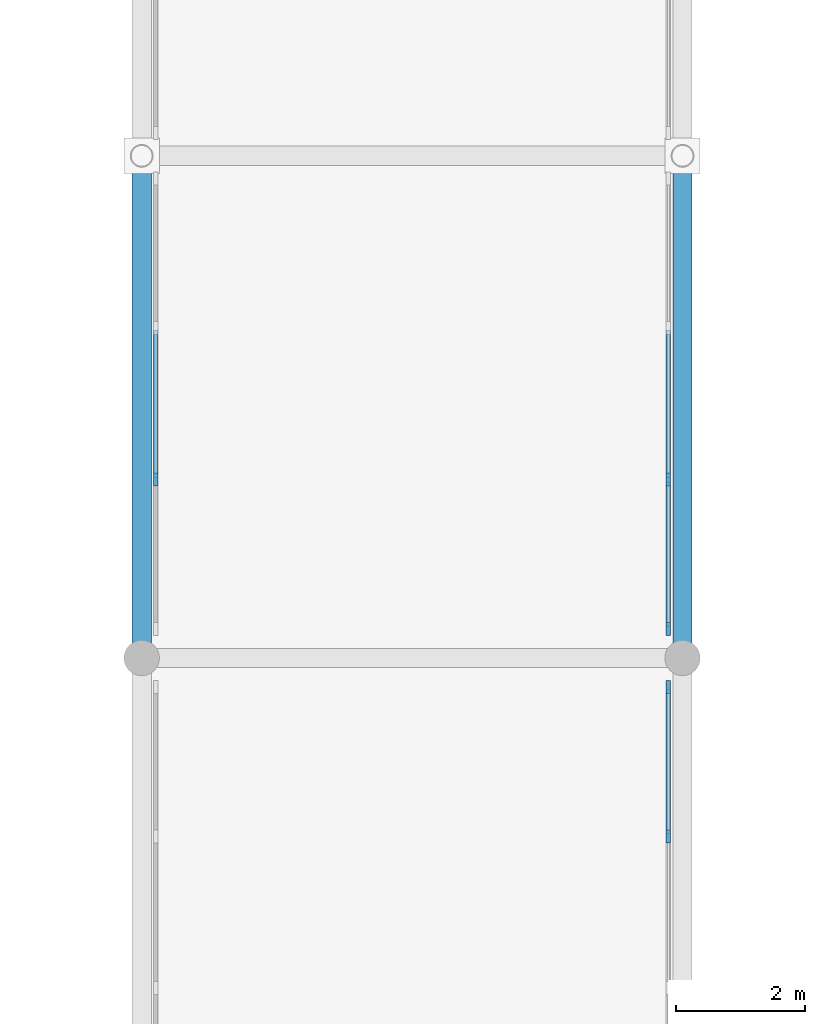
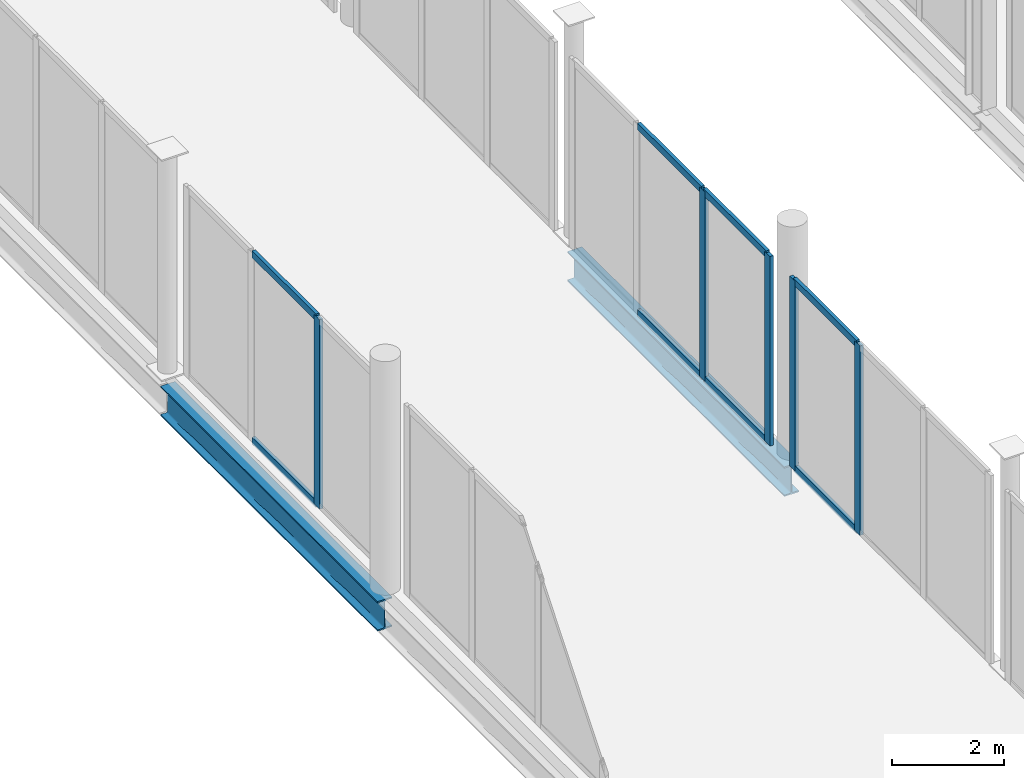
# One storey, part 38 of 105: 13 members, 2 beams, 3 elements without a shape of their own.
"""IFC4 building model written with IfcOpenShell, lengths in metres."""

from ifc_helpers import new_model, si_unit, direction, frame, origin, origin_2d, place, context, subcontext, project, spatial, rectangle, i_section, extrude, material, material_profile, profile_set, type_object, element, aggregate, save


model = new_model("IFC4")

# Units and contexts
model_context = context("Model", 3, precision=1e-05, world=origin(), true_north=direction((0.0, 1.0)))
body_context = subcontext(model_context, "Body", "Model", "MODEL_VIEW")
ifc_project = project(units=[si_unit("LENGTHUNIT", "METRE"), si_unit("AREAUNIT", "SQUARE_METRE"), si_unit("VOLUMEUNIT", "CUBIC_METRE"), si_unit("PLANEANGLEUNIT", "RADIAN"), si_unit("MASSUNIT", "GRAM", prefix="KILO")], contexts=[model_context])

# Site, building, storey
site_placement = place(None, origin())
site = spatial("IfcSite", under=ifc_project, at=site_placement, CompositionType="ELEMENT")
building_placement = place(site_placement, origin())
building = spatial("IfcBuilding", under=site, at=building_placement, Name="Nabrawat Pavilion Hospital", CompositionType="ELEMENT")
storey_placement = place(building_placement, frame((0.0, 0.0, 5.10009765625)))
storey = spatial("IfcBuildingStorey", under=building, at=storey_placement, Name="L01", CompositionType="ELEMENT", Elevation=5.10009765625)

# Beams
ifc_material_1 = material(Name="Steel S355", Category="steel")
ifc_material_profile_1 = material_profile(ifc_material_1, i_section(OverallWidth=0.300048828125, OverallDepth=0.64990234375, WebThickness=0.01611328125, FlangeThickness=0.031005859375, FilletRadius=0.027099609375, at=origin_2d()), Name="HEB 650")
ifc_profile_set_1 = profile_set([ifc_material_profile_1], Name="Steel S355")
beam_type = type_object("IfcBeamType", Name="Courtyard Link Bridge Edge Girder HEB 650", PredefinedType="USERDEFINED", material=ifc_profile_set_1)
for number, where, z_axis, x_axis, name in (
    (1, (109.199951171875, 54.6201171875, -0.614990234375), (0.0, 1.0, 0.0), (-1.0, 0.0, 0.0), "L01 Courtyard Link Bridge Edge Girder 781"),
    (2, (117.60009765625, 54.6201171875, -0.614990234375), (0.0, 1.0, 0.0), (-1.0, 0.0, 0.0), "L01 Courtyard Link Bridge Edge Girder 790"),
):
    element("IfcBeam", number, at=place(storey_placement, frame(where, z_axis=z_axis, x_axis=x_axis)), inside=storey, type_object=beam_type, Name=name, ObjectType="GIRDER", PredefinedType="USERDEFINED", context=body_context, shape_type="SweptSolid", body=[
        extrude(i_section(OverallWidth=0.300048828125, OverallDepth=0.64990234375, WebThickness=0.01611328125, FlangeThickness=0.031005859375, FilletRadius=0.027099609375, at=origin_2d()), origin(), (0.0, 0.0, 1.0), 7.759765625),
    ])

# Curtain wall, member
ifc_material_2 = material(Name="Anodised Aluminium", Category="aluminium")
curtain_wall_type = type_object("IfcCurtainWallType", Name="Courtyard Link Bridge Glazed Curtain Wall", PredefinedType="USERDEFINED", material=ifc_material_2)
curtain_wall_1_placement = place(storey_placement, origin())
curtain_wall_1 = element("IfcCurtainWall", 3, at=curtain_wall_1_placement, inside=storey, type_object=curtain_wall_type, Name="L01 Courtyard Link Bridge Glazed Curtain Wall 073", ObjectType="CURTAIN WALL", PredefinedType="USERDEFINED")
ifc_material_profile_2 = material_profile(ifc_material_2, rectangle(XDim=0.070068359375, YDim=0.199951171875, at=origin_2d()), Name="CWM 70x200")
ifc_profile_set_2 = profile_set([ifc_material_profile_2], Name="Anodised Aluminium")
member_type_1 = type_object("IfcMemberType", Name="Courtyard Link Bridge Glazed Curtain Wall Mullion CWM 70x200", PredefinedType="MULLION", material=ifc_profile_set_2)
member_1_placement = place(storey_placement, frame((109.419921875, 57.370849609375, 0.0), z_axis=(0.0, 0.0, 1.0), x_axis=(-1.0, 0.0, 0.0)))
member_1 = element("IfcMember", 4, at=member_1_placement, type_object=member_type_1, Name="CW-BRG-01 mullion 2", PredefinedType="MULLION", context=body_context, shape_type="SweptSolid", body=[
    extrude(rectangle(XDim=0.070068359375, YDim=0.199951171875, at=origin_2d()), origin(), (0.0, 0.0, 1.0), 4.139892578125),
])

# Curtain wall, members
curtain_wall_2_placement = place(storey_placement, origin())
curtain_wall_2 = element("IfcCurtainWall", 5, at=curtain_wall_2_placement, inside=storey, type_object=curtain_wall_type, Name="L01 Courtyard Link Bridge Glazed Curtain Wall 078", ObjectType="CURTAIN WALL", PredefinedType="USERDEFINED")
member_2_placement = place(storey_placement, frame((117.3798828125, 51.829345703125, 0.0), z_axis=(0.0, 0.0, 1.0), x_axis=(-1.0, 0.0, 0.0)))
member_2 = element("IfcMember", 6, at=member_2_placement, type_object=member_type_1, Name="CW-BRG-01 mullion 3", PredefinedType="MULLION", context=body_context, shape_type="SweptSolid", body=[
    extrude(rectangle(XDim=0.070068359375, YDim=0.199951171875, at=origin_2d()), origin(), (0.0, 0.0, 1.0), 4.139892578125),
])
member_3_placement = place(storey_placement, frame((117.3798828125, 54.14990234375, 0.0), z_axis=(0.0, 0.0, 1.0), x_axis=(-1.0, 0.0, 0.0)))
member_3 = element("IfcMember", 7, at=member_3_placement, type_object=member_type_1, Name="CW-BRG-01 mullion 4", PredefinedType="MULLION", context=body_context, shape_type="SweptSolid", body=[
    extrude(rectangle(XDim=0.070068359375, YDim=0.199951171875, at=origin_2d()), origin(), (0.0, 0.0, 1.0), 4.139892578125),
])

curtain_wall_3_placement = place(storey_placement, origin())
curtain_wall_3 = element("IfcCurtainWall", 8, at=curtain_wall_3_placement, inside=storey, type_object=curtain_wall_type, Name="L01 Courtyard Link Bridge Glazed Curtain Wall 079", ObjectType="CURTAIN WALL", PredefinedType="USERDEFINED")
member_4_placement = place(storey_placement, frame((117.3798828125, 55.050048828125, 0.0), z_axis=(0.0, 0.0, 1.0), x_axis=(-1.0, 0.0, 0.0)))
member_4 = element("IfcMember", 9, at=member_4_placement, type_object=member_type_1, Name="CW-BRG-01 mullion 1", PredefinedType="MULLION", context=body_context, shape_type="SweptSolid", body=[
    extrude(rectangle(XDim=0.070068359375, YDim=0.199951171875, at=origin_2d()), origin(), (0.0, 0.0, 1.0), 4.139892578125),
])
member_5_placement = place(storey_placement, frame((117.3798828125, 57.370849609375, 0.0), z_axis=(0.0, 0.0, 1.0), x_axis=(-1.0, 0.0, 0.0)))
member_5 = element("IfcMember", 10, at=member_5_placement, type_object=member_type_1, Name="CW-BRG-01 mullion 2", PredefinedType="MULLION", context=body_context, shape_type="SweptSolid", body=[
    extrude(rectangle(XDim=0.070068359375, YDim=0.199951171875, at=origin_2d()), origin(), (0.0, 0.0, 1.0), 4.139892578125),
])

# Member
ifc_material_profile_3 = material_profile(ifc_material_2, rectangle(XDim=0.070068359375, YDim=0.14990234375, at=origin_2d()), Name="CWT 70x150")
ifc_profile_set_3 = profile_set([ifc_material_profile_3], Name="Anodised Aluminium")
member_type_2 = type_object("IfcMemberType", Name="Courtyard Link Bridge Glazed Curtain Wall Transom CWT 70x150", PredefinedType="USERDEFINED", material=ifc_profile_set_3)
member_6_placement = place(storey_placement, frame((109.419921875, 57.40576171875, 0.034912109375), z_axis=(0.0, 1.0, 0.0), x_axis=(-1.0, 0.0, 0.0)))
member_6 = element("IfcMember", 11, at=member_6_placement, type_object=member_type_2, Name="CW-BRG-01 transom 2.1", ObjectType="TRANSOM", PredefinedType="USERDEFINED", context=body_context, shape_type="SweptSolid", body=[
    extrude(rectangle(XDim=0.070068359375, YDim=0.14990234375, at=origin_2d()), origin(), (0.0, 0.0, 1.0), 2.28564453125),
])

member_7_placement = place(storey_placement, frame((109.419921875, 57.40576171875, 4.10498046875), z_axis=(0.0, 1.0, 0.0), x_axis=(-1.0, 0.0, 0.0)))
member_7 = element("IfcMember", 12, at=member_7_placement, type_object=member_type_2, Name="CW-BRG-01 transom 2.2", ObjectType="TRANSOM", PredefinedType="USERDEFINED", context=body_context, shape_type="SweptSolid", body=[
    extrude(rectangle(XDim=0.070068359375, YDim=0.14990234375, at=origin_2d()), origin(), (0.0, 0.0, 1.0), 2.28564453125),
])

aggregate(curtain_wall_1, [member_1, member_6, member_7])

member_8_placement = place(storey_placement, frame((117.3798828125, 51.8642578125, 0.034912109375), z_axis=(0.0, 1.0, 0.0), x_axis=(-1.0, 0.0, 0.0)))
member_8 = element("IfcMember", 13, at=member_8_placement, type_object=member_type_2, Name="CW-BRG-01 transom 3.1", ObjectType="TRANSOM", PredefinedType="USERDEFINED", context=body_context, shape_type="SweptSolid", body=[
    extrude(rectangle(XDim=0.070068359375, YDim=0.14990234375, at=origin_2d()), origin(), (0.0, 0.0, 1.0), 2.250732421875),
])

member_9_placement = place(storey_placement, frame((117.3798828125, 51.8642578125, 4.10498046875), z_axis=(0.0, 1.0, 0.0), x_axis=(-1.0, 0.0, 0.0)))
member_9 = element("IfcMember", 14, at=member_9_placement, type_object=member_type_2, Name="CW-BRG-01 transom 3.2", ObjectType="TRANSOM", PredefinedType="USERDEFINED", context=body_context, shape_type="SweptSolid", body=[
    extrude(rectangle(XDim=0.070068359375, YDim=0.14990234375, at=origin_2d()), origin(), (0.0, 0.0, 1.0), 2.250732421875),
])

aggregate(curtain_wall_2, [member_2, member_3, member_8, member_9])

member_10_placement = place(storey_placement, frame((117.3798828125, 55.0849609375, 0.034912109375), z_axis=(0.0, 1.0, 0.0), x_axis=(-1.0, 0.0, 0.0)))
member_10 = element("IfcMember", 15, at=member_10_placement, type_object=member_type_2, Name="CW-BRG-01 transom 1.1", ObjectType="TRANSOM", PredefinedType="USERDEFINED", context=body_context, shape_type="SweptSolid", body=[
    extrude(rectangle(XDim=0.070068359375, YDim=0.14990234375, at=origin_2d()), origin(), (0.0, 0.0, 1.0), 2.250732421875),
])

member_11_placement = place(storey_placement, frame((117.3798828125, 55.0849609375, 4.10498046875), z_axis=(0.0, 1.0, 0.0), x_axis=(-1.0, 0.0, 0.0)))
member_11 = element("IfcMember", 16, at=member_11_placement, type_object=member_type_2, Name="CW-BRG-01 transom 1.2", ObjectType="TRANSOM", PredefinedType="USERDEFINED", context=body_context, shape_type="SweptSolid", body=[
    extrude(rectangle(XDim=0.070068359375, YDim=0.14990234375, at=origin_2d()), origin(), (0.0, 0.0, 1.0), 2.250732421875),
])

member_12_placement = place(storey_placement, frame((117.3798828125, 57.40576171875, 0.034912109375), z_axis=(0.0, 1.0, 0.0), x_axis=(-1.0, 0.0, 0.0)))
member_12 = element("IfcMember", 17, at=member_12_placement, type_object=member_type_2, Name="CW-BRG-01 transom 2.1", ObjectType="TRANSOM", PredefinedType="USERDEFINED", context=body_context, shape_type="SweptSolid", body=[
    extrude(rectangle(XDim=0.070068359375, YDim=0.14990234375, at=origin_2d()), origin(), (0.0, 0.0, 1.0), 2.28564453125),
])

member_13_placement = place(storey_placement, frame((117.3798828125, 57.40576171875, 4.10498046875), z_axis=(0.0, 1.0, 0.0), x_axis=(-1.0, 0.0, 0.0)))
member_13 = element("IfcMember", 18, at=member_13_placement, type_object=member_type_2, Name="CW-BRG-01 transom 2.2", ObjectType="TRANSOM", PredefinedType="USERDEFINED", context=body_context, shape_type="SweptSolid", body=[
    extrude(rectangle(XDim=0.070068359375, YDim=0.14990234375, at=origin_2d()), origin(), (0.0, 0.0, 1.0), 2.28564453125),
])

aggregate(curtain_wall_3, [member_4, member_5, member_10, member_11, member_12, member_13])

save(model, "model.ifc")
